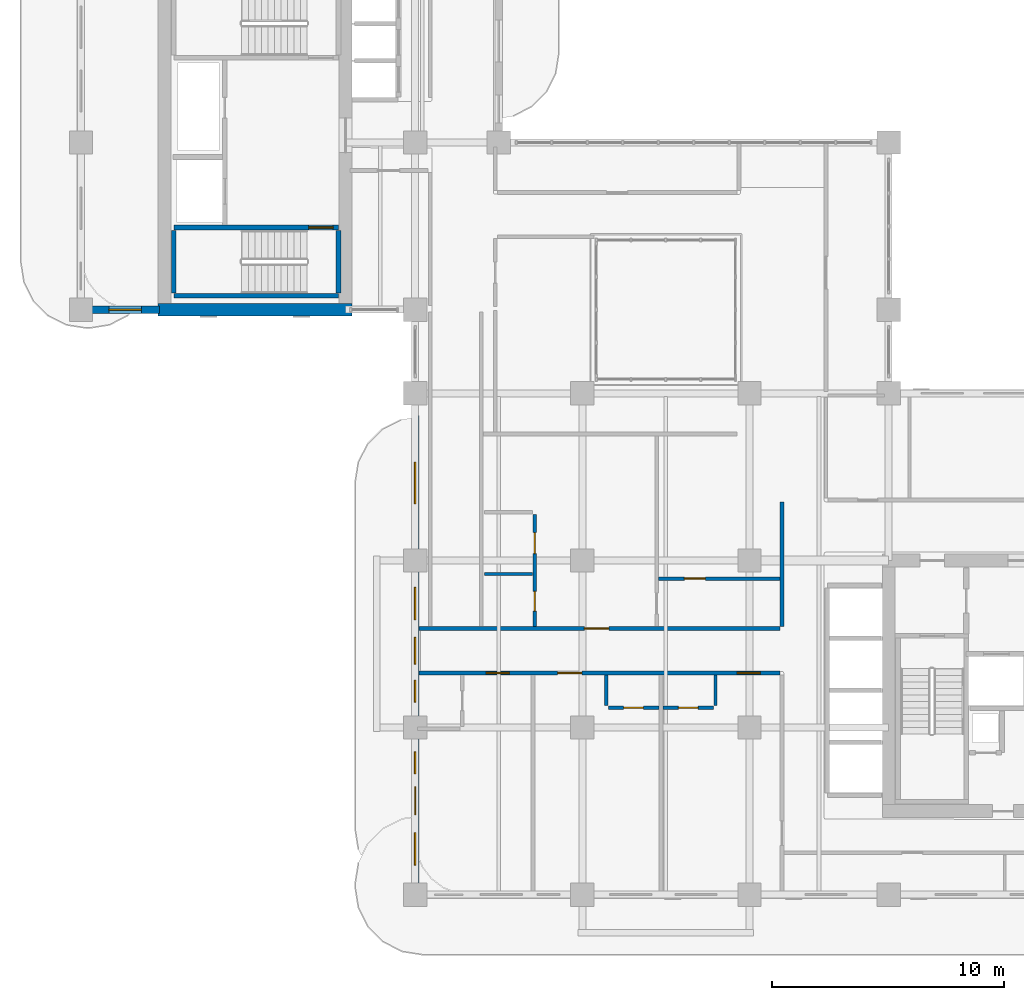
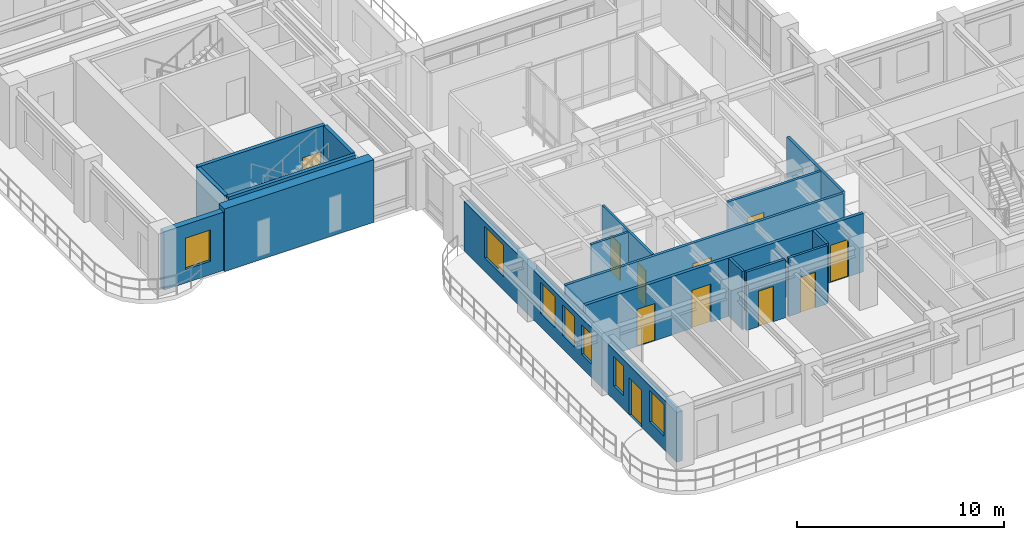
# One storey, part 11 of 20: 17 walls, 11 doors, 7 windows, 18 openings.
"""IFC4 building model written with IfcOpenShell, lengths in metres."""

from ifc_helpers import new_model, si_unit, derived_unit, direction, frame, frame_2d, origin, place, context, subcontext, project, spatial, rectangle, extrude, source, transform, mapped, material, layer, layer_set, type_object, type_shapes, element, fill, save


model = new_model("IFC4")

# Units and contexts
model_context = context("Model", 3, precision=1e-05, world=origin(), true_north=direction((0.0, 1.0)))
body_context = subcontext(model_context, "Body", "Model", "MODEL_VIEW")
ifc_project = project(units=[si_unit("LENGTHUNIT", "METRE"), si_unit("AREAUNIT", "SQUARE_METRE"), si_unit("VOLUMEUNIT", "CUBIC_METRE"), si_unit("PLANEANGLEUNIT", "RADIAN"), si_unit("MASSUNIT", "GRAM", prefix="KILO"), si_unit("THERMODYNAMICTEMPERATUREUNIT", "KELVIN"), si_unit("POWERUNIT", "WATT"), derived_unit("THERMALTRANSMITTANCEUNIT", [(si_unit("POWERUNIT", "WATT"), 1), (si_unit("AREAUNIT", "SQUARE_METRE"), -1), (si_unit("THERMODYNAMICTEMPERATUREUNIT", "KELVIN"), -1)])], contexts=[model_context])

# Site, building, storey
site_placement = place(None, origin())
site = spatial("IfcSite", under=ifc_project, at=site_placement, CompositionType="ELEMENT")
building_placement = place(site_placement, origin())
building = spatial("IfcBuilding", under=site, at=building_placement, Name="Zahravan Archway Hotel and Residences", CompositionType="ELEMENT")
storey_placement = place(building_placement, frame((0.0, 0.0, 130.300048828125)))
storey = spatial("IfcBuildingStorey", under=building, at=storey_placement, Name="L32", CompositionType="ELEMENT", Elevation=130.300048828125)

# Wall
ifc_material_1 = material(Name="Concrete C70/85", Category="concrete")
ifc_layer_1 = layer(ifc_material_1, 0.550048828125, Name="Concrete C70/85", Category="concrete")
ifc_layer_set_1 = layer_set([ifc_layer_1], Name="Concrete C70/85")
wall_type_1 = type_object("IfcWallType", Name="CW-CORE-550", PredefinedType="SHEAR", material=ifc_layer_set_1)
wall_1_placement = place(storey_placement, frame((3.324951171875, 25.199951171875, 0.0), z_axis=(0.0, 0.0, 1.0), x_axis=(1.0, 0.0, 0.0)))
element("IfcWall", 1, at=wall_1_placement, inside=storey, type_object=wall_type_1, Name="L32 Core B Shear S Wall 550 mm", PredefinedType="SHEAR", context=body_context, shape_type="SweptSolid", body=[
    extrude(rectangle(XDim=8.35009765625, YDim=0.550048828125, at=frame_2d((4.175048828125, 0.0))), origin(), (0.0, 0.0, 1.0), 3.699951171875),
])

# Wall, openings, door, windows
ifc_material_2 = material(Name="Agra Buff Sandstone & Insulated Backup", Category="masonry")
ifc_layer_2 = layer(ifc_material_2, 0.320068359375, Name="Agra Buff Sandstone & Insulated Backup", Category="masonry")
ifc_layer_set_2 = layer_set([ifc_layer_2], Name="Agra Buff Sandstone & Insulated Backup")
wall_type_2 = type_object("IfcWallType", Name="EW-SAND-320", PredefinedType="SOLIDWALL", material=ifc_layer_set_2)
wall_2_placement = place(storey_placement, frame((14.39990234375, 0.050048828125, 0.0), z_axis=(0.0, 0.0, 1.0), x_axis=(0.0, 1.0, 0.0)))
wall_2 = element("IfcWall", 2, at=wall_2_placement, inside=storey, type_object=wall_type_2, Name="L32 Exterior Sandstone Wall WA-WL", PredefinedType="SOLIDWALL", context=body_context, shape_type="SweptSolid", body=[
    extrude(rectangle(XDim=20.599853515625, YDim=0.320068359375, at=frame_2d((10.2998046875, 0.0))), origin(), (0.0, 0.0, 1.0), 2.93505859375),
])
opening_1_placement = place(wall_2_placement, frame((3.39990234375, 0.0, 0.0)))
opening_1 = element("IfcOpeningElement", 3, at=opening_1_placement, cuts=wall_2, Name="Opening ED-BL1", PredefinedType="OPENING", context=body_context, shape_type="SweptSolid", body=[
    extrude(rectangle(XDim=1.199951171875, YDim=2.199951171875, at=frame_2d((0.60009765625, 1.10009765625))), frame((0.0, 0.169921875, 0.0), z_axis=(0.0, -1.0, 0.0), x_axis=(1.0, 0.0, 0.0)), (0.0, 0.0, 1.0), 0.340087890625),
])
opening_2_placement = place(wall_2_placement, frame((1.22509765625, 0.0, 0.800048828125)))
opening_2 = element("IfcOpeningElement", 4, at=opening_2_placement, cuts=wall_2, Name="Opening W-03", PredefinedType="OPENING", context=body_context, shape_type="SweptSolid", body=[
    extrude(rectangle(XDim=1.39990234375, YDim=1.85009765625, at=frame_2d((0.699951171875, 0.925048828125))), frame((0.0, 0.169921875, 0.0), z_axis=(0.0, -1.0, 0.0), x_axis=(1.0, 0.0, 0.0)), (0.0, 0.0, 1.0), 0.340087890625),
])
opening_3_placement = place(wall_2_placement, frame((5.14990234375, 0.0, 0.800048828125)))
opening_3 = element("IfcOpeningElement", 5, at=opening_3_placement, cuts=wall_2, Name="Opening W-04", PredefinedType="OPENING", context=body_context, shape_type="SweptSolid", body=[
    extrude(rectangle(XDim=0.949951171875, YDim=1.75, at=frame_2d((0.47509765625, 0.875))), frame((0.0, 0.169921875, 0.0), z_axis=(0.0, -1.0, 0.0), x_axis=(1.0, 0.0, 0.0)), (0.0, 0.0, 1.0), 0.340087890625),
])
opening_4_placement = place(wall_2_placement, frame((8.24609375, 0.0, 0.800048828125)))
opening_4 = element("IfcOpeningElement", 6, at=opening_4_placement, cuts=wall_2, Name="Opening W-04", PredefinedType="OPENING", context=body_context, shape_type="SweptSolid", body=[
    extrude(rectangle(XDim=0.949951171875, YDim=1.75, at=frame_2d((0.47509765625, 0.875))), frame((0.0, 0.169921875, 0.0), z_axis=(0.0, -1.0, 0.0), x_axis=(1.0, 0.0, 0.0)), (0.0, 0.0, 1.0), 0.340087890625),
])
opening_5_placement = place(wall_2_placement, frame((9.885009765625, 0.0, 0.800048828125)))
opening_5 = element("IfcOpeningElement", 7, at=opening_5_placement, cuts=wall_2, Name="Opening W-05", PredefinedType="OPENING", context=body_context, shape_type="SweptSolid", body=[
    extrude(rectangle(XDim=1.14990234375, YDim=1.800048828125, at=frame_2d((0.574951171875, 0.89990234375))), frame((0.0, 0.169921875, 0.0), z_axis=(0.0, -1.0, 0.0), x_axis=(1.0, 0.0, 0.0)), (0.0, 0.0, 1.0), 0.340087890625),
])
opening_6_placement = place(wall_2_placement, frame((11.7890625, 0.0, 0.800048828125)))
opening_6 = element("IfcOpeningElement", 8, at=opening_6_placement, cuts=wall_2, Name="Opening W-03", PredefinedType="OPENING", context=body_context, shape_type="SweptSolid", body=[
    extrude(rectangle(XDim=1.39990234375, YDim=1.85009765625, at=frame_2d((0.699951171875, 0.925048828125))), frame((0.0, 0.169921875, 0.0), z_axis=(0.0, -1.0, 0.0), x_axis=(1.0, 0.0, 0.0)), (0.0, 0.0, 1.0), 0.340087890625),
])
opening_7_placement = place(wall_2_placement, frame((16.7900390625, 0.0, 0.800048828125)))
opening_7 = element("IfcOpeningElement", 9, at=opening_7_placement, cuts=wall_2, Name="Opening W-02", PredefinedType="OPENING", context=body_context, shape_type="SweptSolid", body=[
    extrude(rectangle(XDim=1.800048828125, YDim=1.85009765625, at=frame_2d((0.89990234375, 0.925048828125))), frame((0.0, 0.169921875, 0.0), z_axis=(0.0, -1.0, 0.0), x_axis=(1.0, 0.0, 0.0)), (0.0, 0.0, 1.0), 0.340087890625),
])
ifc_material_3 = material(Name="Bronze-Anodized Glazed Aluminium", Category="aluminium")
door_type_1 = type_object("IfcDoorType", Name="ED-BALC-1200", OperationType="SLIDING_TO_LEFT", PredefinedType="DOOR", material=ifc_material_3)
shared_shape_1 = source(origin(), body_context, "Body", "SweptSolid", [
    extrude(rectangle(XDim=1.199951171875, YDim=2.199951171875, at=frame_2d((0.60009765625, 1.10009765625))), frame((0.0, 0.02490234375, 0.0), z_axis=(0.0, -1.0, 0.0), x_axis=(1.0, 0.0, 0.0)), (0.0, 0.0, 1.0), 0.050048828125),
])
type_shapes(door_type_1, [shared_shape_1])
door_1_placement = place(opening_1_placement, origin())
door_1 = element("IfcDoor", 10, at=door_1_placement, inside=storey, type_object=door_type_1, Name="L32 Outdoor Access Sliding Door (SLB-BAL-L32-WA)", OperationType="SLIDING_TO_LEFT", OverallHeight=2.199951171875, OverallWidth=1.199951171875, PredefinedType="DOOR", context=body_context, shape_type="MappedRepresentation", body=[
    mapped(shared_shape_1, transform((0.0, 0.0, 0.0), scale=1.0)),
])
fill(opening_1, door_1)
ifc_material_4 = material(Name="Bronze-Anodized Thermal-Break Aluminium & Low-E Glass", Category="aluminium")
window_type_1 = type_object("IfcWindowType", Name="WIN-TWR-1400", PartitioningType="SINGLE_PANEL", PredefinedType="WINDOW", material=ifc_material_4)
shared_shape_2 = source(origin(), body_context, "Body", "SweptSolid", [
    extrude(rectangle(XDim=1.39990234375, YDim=1.85009765625, at=frame_2d((0.699951171875, 0.925048828125))), frame((0.0, 0.030029296875, 0.0), z_axis=(0.0, -1.0, 0.0), x_axis=(1.0, 0.0, 0.0)), (0.0, 0.0, 1.0), 0.06005859375),
])
type_shapes(window_type_1, [shared_shape_2])
window_1_placement = place(opening_2_placement, origin())
window_1 = element("IfcWindow", 11, at=window_1_placement, inside=storey, type_object=window_type_1, Name="L32 Loggia Window 15", OverallHeight=1.85009765625, OverallWidth=1.39990234375, PartitioningType="SINGLE_PANEL", PredefinedType="WINDOW", context=body_context, shape_type="MappedRepresentation", body=[
    mapped(shared_shape_2, transform((0.0, 0.0, 0.0), scale=1.0)),
])
fill(opening_2, window_1)
window_2_placement = place(opening_6_placement, origin())
window_2 = element("IfcWindow", 12, at=window_2_placement, inside=storey, type_object=window_type_1, Name="L32 Loggia Window 19", OverallHeight=1.85009765625, OverallWidth=1.39990234375, PartitioningType="SINGLE_PANEL", PredefinedType="WINDOW", context=body_context, shape_type="MappedRepresentation", body=[
    mapped(shared_shape_2, transform((0.0, 0.0, 0.0), scale=1.0)),
])
fill(opening_6, window_2)
window_type_2 = type_object("IfcWindowType", Name="WIN-NAR-950", PartitioningType="SINGLE_PANEL", PredefinedType="WINDOW", material=ifc_material_4)
shared_shape_3 = source(origin(), body_context, "Body", "SweptSolid", [
    extrude(rectangle(XDim=0.949951171875, YDim=1.75, at=frame_2d((0.47509765625, 0.875))), frame((0.0, 0.030029296875, 0.0), z_axis=(0.0, -1.0, 0.0), x_axis=(1.0, 0.0, 0.0)), (0.0, 0.0, 1.0), 0.06005859375),
])
type_shapes(window_type_2, [shared_shape_3])
window_3_placement = place(opening_3_placement, origin())
window_3 = element("IfcWindow", 13, at=window_3_placement, inside=storey, type_object=window_type_2, Name="L32 Loggia Window 16", OverallHeight=1.75, OverallWidth=0.949951171875, PartitioningType="SINGLE_PANEL", PredefinedType="WINDOW", context=body_context, shape_type="MappedRepresentation", body=[
    mapped(shared_shape_3, transform((0.0, 0.0, 0.0), scale=1.0)),
])
fill(opening_3, window_3)
window_4_placement = place(opening_4_placement, origin())
window_4 = element("IfcWindow", 14, at=window_4_placement, inside=storey, type_object=window_type_2, Name="L32 Loggia Window 17", OverallHeight=1.75, OverallWidth=0.949951171875, PartitioningType="SINGLE_PANEL", PredefinedType="WINDOW", context=body_context, shape_type="MappedRepresentation", body=[
    mapped(shared_shape_3, transform((0.0, 0.0, 0.0), scale=1.0)),
])
fill(opening_4, window_4)
window_type_3 = type_object("IfcWindowType", Name="WIN-TWR-1800", PartitioningType="DOUBLE_PANEL_VERTICAL", PredefinedType="WINDOW", material=ifc_material_4)
shared_shape_4 = source(origin(), body_context, "Body", "SweptSolid", [
    extrude(rectangle(XDim=1.800048828125, YDim=1.85009765625, at=frame_2d((0.89990234375, 0.925048828125))), frame((0.0, 0.030029296875, 0.0), z_axis=(0.0, -1.0, 0.0), x_axis=(1.0, 0.0, 0.0)), (0.0, 0.0, 1.0), 0.06005859375),
])
type_shapes(window_type_3, [shared_shape_4])
window_5_placement = place(opening_7_placement, origin())
window_5 = element("IfcWindow", 15, at=window_5_placement, inside=storey, type_object=window_type_3, Name="L32 Loggia Window 20", OverallHeight=1.85009765625, OverallWidth=1.800048828125, PartitioningType="DOUBLE_PANEL_VERTICAL", PredefinedType="WINDOW", context=body_context, shape_type="MappedRepresentation", body=[
    mapped(shared_shape_4, transform((0.0, 0.0, 0.0), scale=1.0)),
])
fill(opening_7, window_5)
window_type_4 = type_object("IfcWindowType", Name="WIN-TWR-1150", PartitioningType="SINGLE_PANEL", PredefinedType="WINDOW", material=ifc_material_4)
shared_shape_5 = source(origin(), body_context, "Body", "SweptSolid", [
    extrude(rectangle(XDim=1.14990234375, YDim=1.800048828125, at=frame_2d((0.574951171875, 0.89990234375))), frame((0.0, 0.030029296875, 0.0), z_axis=(0.0, -1.0, 0.0), x_axis=(1.0, 0.0, 0.0)), (0.0, 0.0, 1.0), 0.06005859375),
])
type_shapes(window_type_4, [shared_shape_5])
window_6_placement = place(opening_5_placement, origin())
window_6 = element("IfcWindow", 16, at=window_6_placement, inside=storey, type_object=window_type_4, Name="L32 Loggia Window 18", OverallHeight=1.800048828125, OverallWidth=1.14990234375, PartitioningType="SINGLE_PANEL", PredefinedType="WINDOW", context=body_context, shape_type="MappedRepresentation", body=[
    mapped(shared_shape_5, transform((0.0, 0.0, 0.0), scale=1.0)),
])
fill(opening_5, window_6)

# Wall, opening, window
wall_3_placement = place(storey_placement, frame((0.0, 25.199951171875, 0.0), z_axis=(0.0, 0.0, 1.0), x_axis=(1.0, 0.0, 0.0)))
wall_3 = element("IfcWall", 17, at=wall_3_placement, inside=storey, type_object=wall_type_2, Name="L32 Exterior Sandstone Wall WB-SW", PredefinedType="SOLIDWALL", context=body_context, shape_type="SweptSolid", body=[
    extrude(rectangle(XDim=3.3798828125, YDim=0.320068359375, at=frame_2d((1.68994140625, 0.0))), origin(), (0.0, 0.0, 1.0), 3.449951171875),
])
opening_8_placement = place(wall_3_placement, frame((1.205078125, 0.0, 0.800048828125)))
opening_8 = element("IfcOpeningElement", 18, at=opening_8_placement, cuts=wall_3, Name="Opening W-03", PredefinedType="OPENING", context=body_context, shape_type="SweptSolid", body=[
    extrude(rectangle(XDim=1.39990234375, YDim=1.85009765625, at=frame_2d((0.699951171875, 0.925048828125))), frame((0.0, 0.169921875, 0.0), z_axis=(0.0, -1.0, 0.0), x_axis=(1.0, 0.0, 0.0)), (0.0, 0.0, 1.0), 0.340087890625),
])
window_7_placement = place(opening_8_placement, origin())
window_7 = element("IfcWindow", 19, at=window_7_placement, inside=storey, type_object=window_type_1, Name="L32 Loggia Window 21", OverallHeight=1.85009765625, OverallWidth=1.39990234375, PartitioningType="SINGLE_PANEL", PredefinedType="WINDOW", context=body_context, shape_type="MappedRepresentation", body=[
    mapped(shared_shape_2, transform((0.0, 0.0, 0.0), scale=1.0)),
])
fill(opening_8, window_7)

# Wall, opening, door
ifc_material_5 = material(Name="Fire-Rated Gypsum & Concrete Block", Category="concrete")
ifc_layer_3 = layer(ifc_material_5, 0.159912109375, Name="Fire-Rated Gypsum & Concrete Block", Category="concrete")
ifc_layer_set_3 = layer_set([ifc_layer_3], Name="Fire-Rated Gypsum & Concrete Block")
wall_type_3 = type_object("IfcWallType", Name="PW-CORR-160", PredefinedType="PARTITIONING", material=ifc_layer_set_3)
wall_4_placement = place(storey_placement, frame((14.568115234375, 11.469970703125, 0.0), z_axis=(0.0, 0.0, 1.0), x_axis=(1.0, 0.0, 0.0)))
wall_4 = element("IfcWall", 20, at=wall_4_placement, inside=storey, type_object=wall_type_3, Name="L32 Partition WA-CN", PredefinedType="PARTITIONING", context=body_context, shape_type="SweptSolid", body=[
    extrude(rectangle(XDim=15.5419921875, YDim=0.159912109375, at=frame_2d((7.77099609375, 0.0))), origin(), (0.0, 0.0, 1.0), 3.449951171875),
])
opening_9_placement = place(wall_4_placement, frame((7.1220703125, 0.0, 0.0)))
opening_9 = element("IfcOpeningElement", 21, at=opening_9_placement, cuts=wall_4, Name="Opening D-U1", PredefinedType="OPENING", context=body_context, shape_type="SweptSolid", body=[
    extrude(rectangle(XDim=1.050048828125, YDim=2.25, at=frame_2d((0.52490234375, 1.125))), frame((0.0, 0.08984375, 0.0), z_axis=(0.0, -1.0, 0.0), x_axis=(1.0, 0.0, 0.0)), (0.0, 0.0, 1.0), 0.179931640625),
])
ifc_material_6 = material(Name="Hardwood Veneer Timber", Category="wood")
door_type_2 = type_object("IfcDoorType", Name="ID-UNIT-1050", OperationType="NOTDEFINED", PredefinedType="DOOR", material=ifc_material_6)
shared_shape_6 = source(origin(), body_context, "Body", "SweptSolid", [
    extrude(rectangle(XDim=1.050048828125, YDim=2.25, at=frame_2d((0.52490234375, 1.125))), frame((0.0, 0.02490234375, 0.0), z_axis=(0.0, -1.0, 0.0), x_axis=(1.0, 0.0, 0.0)), (0.0, 0.0, 1.0), 0.050048828125),
])
type_shapes(door_type_2, [shared_shape_6])
door_2_placement = place(opening_9_placement, origin())
door_2 = element("IfcDoor", 22, at=door_2_placement, inside=storey, type_object=door_type_2, Name="L32 Flat AT1 Entrance Door", OperationType="SINGLE_SWING_RIGHT", OverallHeight=2.25, OverallWidth=1.050048828125, PredefinedType="DOOR", context=body_context, shape_type="MappedRepresentation", body=[
    mapped(shared_shape_6, transform((0.0, 0.0, 0.0), scale=1.0)),
])
fill(opening_9, door_2)

# Wall
wall_5_placement = place(storey_placement, frame((30.199951171875, 11.56005859375, 0.0), z_axis=(0.0, 0.0, 1.0), x_axis=(0.0, 1.0, 0.0)))
element("IfcWall", 23, at=wall_5_placement, inside=storey, type_object=wall_type_3, Name="L32 Partition WA-FW", PredefinedType="PARTITIONING", context=body_context, shape_type="SweptSolid", body=[
    extrude(rectangle(XDim=5.349853515625, YDim=0.159912109375, at=frame_2d((2.6748046875, 0.0))), origin(), (0.0, 0.0, 1.0), 3.449951171875),
])

# Wall, openings, doors
ifc_layer_4 = layer(ifc_material_5, 0.179931640625, Name="Fire-Rated Gypsum & Concrete Block", Category="concrete")
ifc_layer_set_4 = layer_set([ifc_layer_4], Name="Fire-Rated Gypsum & Concrete Block")
wall_type_4 = type_object("IfcWallType", Name="PW-CORR-180", PredefinedType="PARTITIONING", material=ifc_layer_set_4)
wall_6_placement = place(storey_placement, frame((14.568115234375, 9.550048828125, 0.0), z_axis=(0.0, 0.0, 1.0), x_axis=(1.0, 0.0, 0.0)))
wall_6 = element("IfcWall", 24, at=wall_6_placement, inside=storey, type_object=wall_type_4, Name="L32 Partition WA-CS", PredefinedType="PARTITIONING", context=body_context, shape_type="SweptSolid", body=[
    extrude(rectangle(XDim=15.5419921875, YDim=0.179931640625, at=frame_2d((7.77099609375, 0.0))), origin(), (0.0, 0.0, 1.0), 3.449951171875),
])
opening_10_placement = place(wall_6_placement, frame((2.887939453125, 0.0, 0.0)))
opening_10 = element("IfcOpeningElement", 25, at=opening_10_placement, cuts=wall_6, Name="Opening D-U2", PredefinedType="OPENING", context=body_context, shape_type="SweptSolid", body=[
    extrude(rectangle(XDim=1.0, YDim=2.199951171875, at=frame_2d((0.5, 1.10009765625))), frame((0.0, 0.10009765625, 0.0), z_axis=(0.0, -1.0, 0.0), x_axis=(1.0, 0.0, 0.0)), (0.0, 0.0, 1.0), 0.199951171875),
])
opening_11_placement = place(wall_6_placement, frame((5.965087890625, 0.0, 0.0)))
opening_11 = element("IfcOpeningElement", 26, at=opening_11_placement, cuts=wall_6, Name="Opening D-U1", PredefinedType="OPENING", context=body_context, shape_type="SweptSolid", body=[
    extrude(rectangle(XDim=1.050048828125, YDim=2.25, at=frame_2d((0.52490234375, 1.125))), frame((0.0, 0.10009765625, 0.0), z_axis=(0.0, -1.0, 0.0), x_axis=(1.0, 0.0, 0.0)), (0.0, 0.0, 1.0), 0.199951171875),
])
opening_12_placement = place(wall_6_placement, frame((13.699951171875, 0.0, 0.0)))
opening_12 = element("IfcOpeningElement", 27, at=opening_12_placement, cuts=wall_6, Name="Opening D-U2", PredefinedType="OPENING", context=body_context, shape_type="SweptSolid", body=[
    extrude(rectangle(XDim=1.0, YDim=2.199951171875, at=frame_2d((0.5, 1.10009765625))), frame((0.0, 0.10009765625, 0.0), z_axis=(0.0, -1.0, 0.0), x_axis=(1.0, 0.0, 0.0)), (0.0, 0.0, 1.0), 0.199951171875),
])
door_3_placement = place(opening_11_placement, origin())
door_3 = element("IfcDoor", 28, at=door_3_placement, inside=storey, type_object=door_type_2, Name="L32 Hotel Guestroom 2 Entrance Door", OperationType="SINGLE_SWING_LEFT", OverallHeight=2.25, OverallWidth=1.050048828125, PredefinedType="DOOR", context=body_context, shape_type="MappedRepresentation", body=[
    mapped(shared_shape_6, transform((0.0, 0.0, 0.0), scale=1.0)),
])
fill(opening_11, door_3)
door_type_3 = type_object("IfcDoorType", Name="ID-UNIT-1000", OperationType="NOTDEFINED", PredefinedType="DOOR", material=ifc_material_6)
shared_shape_7 = source(origin(), body_context, "Body", "SweptSolid", [
    extrude(rectangle(XDim=1.0, YDim=2.199951171875, at=frame_2d((0.5, 1.10009765625))), frame((0.0, 0.02490234375, 0.0), z_axis=(0.0, -1.0, 0.0), x_axis=(1.0, 0.0, 0.0)), (0.0, 0.0, 1.0), 0.050048828125),
])
type_shapes(door_type_3, [shared_shape_7])
door_4_placement = place(opening_10_placement, origin())
door_4 = element("IfcDoor", 29, at=door_4_placement, inside=storey, type_object=door_type_3, Name="L32 Hotel Guestroom 1 Entrance Door", OperationType="SINGLE_SWING_LEFT", OverallHeight=2.199951171875, OverallWidth=1.0, PredefinedType="DOOR", context=body_context, shape_type="MappedRepresentation", body=[
    mapped(shared_shape_7, transform((0.0, 0.0, 0.0), scale=1.0)),
])
fill(opening_10, door_4)
door_5_placement = place(opening_12_placement, origin())
door_5 = element("IfcDoor", 30, at=door_5_placement, inside=storey, type_object=door_type_3, Name="L32 Hotel Guestroom 3 Entrance Door", OperationType="SINGLE_SWING_LEFT", OverallHeight=2.199951171875, OverallWidth=1.0, PredefinedType="DOOR", context=body_context, shape_type="MappedRepresentation", body=[
    mapped(shared_shape_7, transform((0.0, 0.0, 0.0), scale=1.0)),
])
fill(opening_12, door_5)

# Wall, opening, door
ifc_material_7 = material(Name="Acoustic Stud Partition")
ifc_layer_5 = layer(ifc_material_7, 0.14990234375, Name="Acoustic Stud Partition")
ifc_layer_set_5 = layer_set([ifc_layer_5], Name="Acoustic Stud Partition")
wall_type_5 = type_object("IfcWallType", Name="PW-UNIT-150", PredefinedType="PARTITIONING", material=ifc_layer_set_5)
wall_7_placement = place(storey_placement, frame((24.889892578125, 13.6201171875, 0.0), z_axis=(0.0, 0.0, 1.0), x_axis=(1.0, 0.0, 0.0)))
wall_7 = element("IfcWall", 31, at=wall_7_placement, inside=storey, type_object=wall_type_5, Name="L32 Partition FL-AT1-GH", PredefinedType="PARTITIONING", context=body_context, shape_type="SweptSolid", body=[
    extrude(rectangle(XDim=5.22021484375, YDim=0.14990234375, at=frame_2d((2.610107421875, 0.0))), origin(), (0.0, 0.0, 1.0), 3.449951171875),
])
opening_13_placement = place(wall_7_placement, frame((1.110107421875, 0.0, 0.0)))
opening_13 = element("IfcOpeningElement", 32, at=opening_13_placement, cuts=wall_7, Name="Opening D-I2", PredefinedType="OPENING", context=body_context, shape_type="SweptSolid", body=[
    extrude(rectangle(XDim=0.89990234375, YDim=2.14990234375, at=frame_2d((0.449951171875, 1.074951171875))), frame((0.0, 0.0849609375, 0.0), z_axis=(0.0, -1.0, 0.0), x_axis=(1.0, 0.0, 0.0)), (0.0, 0.0, 1.0), 0.169921875),
])
door_type_4 = type_object("IfcDoorType", Name="ID-INT-900", OperationType="NOTDEFINED", PredefinedType="DOOR", material=ifc_material_6)
shared_shape_8 = source(origin(), body_context, "Body", "SweptSolid", [
    extrude(rectangle(XDim=0.89990234375, YDim=2.14990234375, at=frame_2d((0.449951171875, 1.074951171875))), frame((0.0, 0.02490234375, 0.0), z_axis=(0.0, -1.0, 0.0), x_axis=(1.0, 0.0, 0.0)), (0.0, 0.0, 1.0), 0.050048828125),
])
type_shapes(door_type_4, [shared_shape_8])
door_6_placement = place(opening_13_placement, origin())
door_6 = element("IfcDoor", 33, at=door_6_placement, inside=storey, type_object=door_type_4, Name="L32 Flat AT1 Bedroom 1 Door", OperationType="SINGLE_SWING_RIGHT", OverallHeight=2.14990234375, OverallWidth=0.89990234375, PredefinedType="DOOR", context=body_context, shape_type="MappedRepresentation", body=[
    mapped(shared_shape_8, transform((0.0, 0.0, 0.0), scale=1.0)),
])
fill(opening_13, door_6)

# Wall
ifc_material_8 = material(Name="Moisture-Resistant Blockwork", Category="masonry")
ifc_layer_6 = layer(ifc_material_8, 0.139892578125, Name="Moisture-Resistant Blockwork", Category="masonry")
ifc_layer_set_6 = layer_set([ifc_layer_6], Name="Moisture-Resistant Blockwork")
wall_type_6 = type_object("IfcWallType", Name="PW-WET-140", PredefinedType="PARTITIONING", material=ifc_layer_set_6)
wall_8_placement = place(storey_placement, frame((22.635986328125, 8.139892578125, 0.0), z_axis=(0.0, 0.0, 1.0), x_axis=(0.0, 1.0, 0.0)))
element("IfcWall", 34, at=wall_8_placement, inside=storey, type_object=wall_type_6, Name="L32 Partition HKB-V2", PredefinedType="PARTITIONING", context=body_context, shape_type="SweptSolid", body=[
    extrude(rectangle(XDim=1.320068359375, YDim=0.139892578125, at=frame_2d((0.66015625, 0.0))), origin(), (0.0, 0.0, 1.0), 3.449951171875),
])

# Wall, opening, door
wall_9_placement = place(storey_placement, frame((22.72607421875, 8.050048828125, 0.0), z_axis=(0.0, 0.0, 1.0), x_axis=(1.0, 0.0, 0.0)))
wall_9 = element("IfcWall", 35, at=wall_9_placement, inside=storey, type_object=wall_type_6, Name="L32 Partition HKB-H2", PredefinedType="PARTITIONING", context=body_context, shape_type="SweptSolid", body=[
    extrude(rectangle(XDim=2.169921875, YDim=0.139892578125, at=frame_2d((1.0849609375, 0.0))), origin(), (0.0, 0.0, 1.0), 3.449951171875),
])
opening_14_placement = place(wall_9_placement, frame((0.659912109375, 0.0, 0.0)))
opening_14 = element("IfcOpeningElement", 36, at=opening_14_placement, cuts=wall_9, Name="Opening D-B1", PredefinedType="OPENING", context=body_context, shape_type="SweptSolid", body=[
    extrude(rectangle(XDim=0.85009765625, YDim=2.10009765625, at=frame_2d((0.425048828125, 1.050048828125))), frame((0.0, 0.080078125, 0.0), z_axis=(0.0, -1.0, 0.0), x_axis=(1.0, 0.0, 0.0)), (0.0, 0.0, 1.0), 0.159912109375),
])
door_type_5 = type_object("IfcDoorType", Name="ID-BATH-850", OperationType="NOTDEFINED", PredefinedType="DOOR", material=ifc_material_6)
shared_shape_9 = source(origin(), body_context, "Body", "SweptSolid", [
    extrude(rectangle(XDim=0.85009765625, YDim=2.10009765625, at=frame_2d((0.425048828125, 1.050048828125))), frame((0.0, 0.02490234375, 0.0), z_axis=(0.0, -1.0, 0.0), x_axis=(1.0, 0.0, 0.0)), (0.0, 0.0, 1.0), 0.050048828125),
])
type_shapes(door_type_5, [shared_shape_9])
door_7_placement = place(opening_14_placement, origin())
door_7 = element("IfcDoor", 37, at=door_7_placement, inside=storey, type_object=door_type_5, Name="L32 Guestroom 2 En-Suite Door", OperationType="SINGLE_SWING_RIGHT", OverallHeight=2.10009765625, OverallWidth=0.85009765625, PredefinedType="DOOR", context=body_context, shape_type="MappedRepresentation", body=[
    mapped(shared_shape_9, transform((0.0, 0.0, 0.0), scale=1.0)),
])
fill(opening_14, door_7)

# Wall
wall_10_placement = place(storey_placement, frame((27.3359375, 8.139892578125, 0.0), z_axis=(0.0, 0.0, 1.0), x_axis=(0.0, 1.0, 0.0)))
element("IfcWall", 38, at=wall_10_placement, inside=storey, type_object=wall_type_6, Name="L32 Partition HKB-V3", PredefinedType="PARTITIONING", context=body_context, shape_type="SweptSolid", body=[
    extrude(rectangle(XDim=1.320068359375, YDim=0.139892578125, at=frame_2d((0.66015625, 0.0))), origin(), (0.0, 0.0, 1.0), 3.449951171875),
])

# Wall, opening, door
wall_11_placement = place(storey_placement, frame((25.075927734375, 8.050048828125, 0.0), z_axis=(0.0, 0.0, 1.0), x_axis=(1.0, 0.0, 0.0)))
wall_11 = element("IfcWall", 39, at=wall_11_placement, inside=storey, type_object=wall_type_6, Name="L32 Partition HKB-H3", PredefinedType="PARTITIONING", context=body_context, shape_type="SweptSolid", body=[
    extrude(rectangle(XDim=2.170166015625, YDim=0.139892578125, at=frame_2d((1.0849609375, 0.0))), origin(), (0.0, 0.0, 1.0), 3.449951171875),
])
opening_15_placement = place(wall_11_placement, frame((0.659912109375, 0.0, 0.0)))
opening_15 = element("IfcOpeningElement", 40, at=opening_15_placement, cuts=wall_11, Name="Opening D-B1", PredefinedType="OPENING", context=body_context, shape_type="SweptSolid", body=[
    extrude(rectangle(XDim=0.85009765625, YDim=2.10009765625, at=frame_2d((0.425048828125, 1.050048828125))), frame((0.0, 0.080078125, 0.0), z_axis=(0.0, -1.0, 0.0), x_axis=(1.0, 0.0, 0.0)), (0.0, 0.0, 1.0), 0.159912109375),
])
door_8_placement = place(opening_15_placement, origin())
door_8 = element("IfcDoor", 41, at=door_8_placement, inside=storey, type_object=door_type_5, Name="L32 Guestroom 3 En-Suite Door", OperationType="SINGLE_SWING_RIGHT", OverallHeight=2.10009765625, OverallWidth=0.85009765625, PredefinedType="DOOR", context=body_context, shape_type="MappedRepresentation", body=[
    mapped(shared_shape_9, transform((0.0, 0.0, 0.0), scale=1.0)),
])
fill(opening_15, door_8)

# Wall, openings, doors
wall_12_placement = place(storey_placement, frame((19.550048828125, 11.56005859375, 0.0), z_axis=(0.0, 0.0, 1.0), x_axis=(0.0, 1.0, 0.0)))
wall_12 = element("IfcWall", 42, at=wall_12_placement, inside=storey, type_object=wall_type_6, Name="L32 Partition FL-AT1-BV", PredefinedType="PARTITIONING", context=body_context, shape_type="SweptSolid", body=[
    extrude(rectangle(XDim=4.81982421875, YDim=0.139892578125, at=frame_2d((2.409912109375, 0.0))), origin(), (0.0, 0.0, 1.0), 3.449951171875),
])
opening_16_placement = place(wall_12_placement, frame((0.659912109375, 0.0, 0.0)))
opening_16 = element("IfcOpeningElement", 43, at=opening_16_placement, cuts=wall_12, Name="Opening D-B1", PredefinedType="OPENING", context=body_context, shape_type="SweptSolid", body=[
    extrude(rectangle(XDim=0.85009765625, YDim=2.10009765625, at=frame_2d((0.425048828125, 1.050048828125))), frame((0.0, 0.080078125, 0.0), z_axis=(0.0, -1.0, 0.0), x_axis=(1.0, 0.0, 0.0)), (0.0, 0.0, 1.0), 0.159912109375),
])
opening_17_placement = place(wall_12_placement, frame((3.135009765625, 0.0, 0.0)))
opening_17 = element("IfcOpeningElement", 44, at=opening_17_placement, cuts=wall_12, Name="Opening D-I2", PredefinedType="OPENING", context=body_context, shape_type="SweptSolid", body=[
    extrude(rectangle(XDim=0.89990234375, YDim=2.14990234375, at=frame_2d((0.449951171875, 1.074951171875))), frame((0.0, 0.080078125, 0.0), z_axis=(0.0, -1.0, 0.0), x_axis=(1.0, 0.0, 0.0)), (0.0, 0.0, 1.0), 0.159912109375),
])
door_9_placement = place(opening_16_placement, origin())
door_9 = element("IfcDoor", 45, at=door_9_placement, inside=storey, type_object=door_type_5, Name="L32 Flat AT1 Bathroom Door", OperationType="SINGLE_SWING_RIGHT", OverallHeight=2.10009765625, OverallWidth=0.85009765625, PredefinedType="DOOR", context=body_context, shape_type="MappedRepresentation", body=[
    mapped(shared_shape_9, transform((0.0, 0.0, 0.0), scale=1.0)),
])
fill(opening_16, door_9)
door_10_placement = place(opening_17_placement, origin())
door_10 = element("IfcDoor", 46, at=door_10_placement, inside=storey, type_object=door_type_4, Name="L32 Flat AT1 Kitchen Door", OperationType="SINGLE_SWING_LEFT", OverallHeight=2.14990234375, OverallWidth=0.89990234375, PredefinedType="DOOR", context=body_context, shape_type="MappedRepresentation", body=[
    mapped(shared_shape_8, transform((0.0, 0.0, 0.0), scale=1.0)),
])
fill(opening_17, door_10)

# Walls
wall_13_placement = place(storey_placement, frame((17.389892578125, 13.820068359375, 0.0), z_axis=(0.0, 0.0, 1.0), x_axis=(1.0, 0.0, 0.0)))
element("IfcWall", 47, at=wall_13_placement, inside=storey, type_object=wall_type_6, Name="L32 Partition FL-AT1-BM", PredefinedType="PARTITIONING", context=body_context, shape_type="SweptSolid", body=[
    extrude(rectangle(XDim=2.070068359375, YDim=0.139892578125, at=frame_2d((1.03515625, 0.0))), origin(), (0.0, 0.0, 1.0), 3.449951171875),
])
ifc_material_9 = material(Name="Concrete C50/60", Category="concrete")
ifc_layer_7 = layer(ifc_material_9, 0.199951171875, Name="Concrete C50/60", Category="concrete")
ifc_layer_set_7 = layer_set([ifc_layer_7], Name="Concrete C50/60")
wall_type_7 = type_object("IfcWallType", Name="SW-STAIR-200", PredefinedType="SHEAR", material=ifc_layer_set_7)
wall_14_placement = place(storey_placement, frame((4.0, 25.800048828125, 0.0), z_axis=(0.0, 0.0, 1.0), x_axis=(1.0, 0.0, 0.0)))
element("IfcWall", 48, at=wall_14_placement, inside=storey, type_object=wall_type_7, Name="L32 Stairwell RC Wall CB-SB1S", PredefinedType="SHEAR", context=body_context, shape_type="SweptSolid", body=[
    extrude(rectangle(XDim=7.10009765625, YDim=0.199951171875, at=frame_2d((3.550048828125, 0.0))), origin(), (0.0, 0.0, 1.0), 3.699951171875),
])
for number, where, z_axis, x_axis, name in (
    (49, (4.0, 25.919921875, 0.0), (0.0, 0.0, 1.0), (0.0, 1.0, 0.0), "L32 Stairwell RC Wall CB-SB1W"),
    (50, (11.10009765625, 25.919921875, 0.0), (0.0, 0.0, 1.0), (0.0, 1.0, 0.0), "L32 Stairwell RC Wall CB-SB1E"),
):
    element("IfcWall", number, at=place(storey_placement, frame(where, z_axis=z_axis, x_axis=x_axis)), inside=storey, type_object=wall_type_7, Name=name, PredefinedType="SHEAR", context=body_context, shape_type="SweptSolid", body=[
        extrude(rectangle(XDim=2.7001953125, YDim=0.199951171875, at=frame_2d((1.35009765625, 0.0))), origin(), (0.0, 0.0, 1.0), 3.699951171875),
    ])

# Wall, opening, door
wall_15_placement = place(storey_placement, frame((4.0, 28.739990234375, 0.0), z_axis=(0.0, 0.0, 1.0), x_axis=(1.0, 0.0, 0.0)))
wall_15 = element("IfcWall", 51, at=wall_15_placement, inside=storey, type_object=wall_type_7, Name="L32 Stairwell RC Wall CB-SB1N", PredefinedType="SHEAR", context=body_context, shape_type="SweptSolid", body=[
    extrude(rectangle(XDim=7.10009765625, YDim=0.199951171875, at=frame_2d((3.550048828125, 0.0))), origin(), (0.0, 0.0, 1.0), 3.699951171875),
])
opening_18_placement = place(wall_15_placement, frame((5.81494140625, 0.0, 0.0)))
opening_18 = element("IfcOpeningElement", 52, at=opening_18_placement, cuts=wall_15, Name="Opening FD-S1", PredefinedType="OPENING", context=body_context, shape_type="SweptSolid", body=[
    extrude(rectangle(XDim=1.050048828125, YDim=2.199951171875, at=frame_2d((0.52490234375, 1.10009765625))), frame((0.0, 0.10986328125, 0.0), z_axis=(0.0, -1.0, 0.0), x_axis=(1.0, 0.0, 0.0)), (0.0, 0.0, 1.0), 0.219970703125),
])
ifc_material_10 = material(Name="Fire-Rated Painted Steel", Category="steel")
door_type_6 = type_object("IfcDoorType", Name="FD-STAIR-1100", OperationType="NOTDEFINED", PredefinedType="DOOR", material=ifc_material_10)
shared_shape_10 = source(origin(), body_context, "Body", "SweptSolid", [
    extrude(rectangle(XDim=1.050048828125, YDim=2.199951171875, at=frame_2d((0.52490234375, 1.10009765625))), frame((0.0, 0.02490234375, 0.0), z_axis=(0.0, -1.0, 0.0), x_axis=(1.0, 0.0, 0.0)), (0.0, 0.0, 1.0), 0.050048828125),
])
type_shapes(door_type_6, [shared_shape_10])
door_11_placement = place(opening_18_placement, origin())
door_11 = element("IfcDoor", 53, at=door_11_placement, inside=storey, type_object=door_type_6, Name="L32 Stair ST-B1 Door", OperationType="SINGLE_SWING_LEFT", OverallHeight=2.199951171875, OverallWidth=1.050048828125, PredefinedType="DOOR", context=body_context, shape_type="MappedRepresentation", body=[
    mapped(shared_shape_10, transform((0.0, 0.0, 0.0), scale=1.0)),
])
fill(opening_18, door_11)

save(model, "model.ifc")
